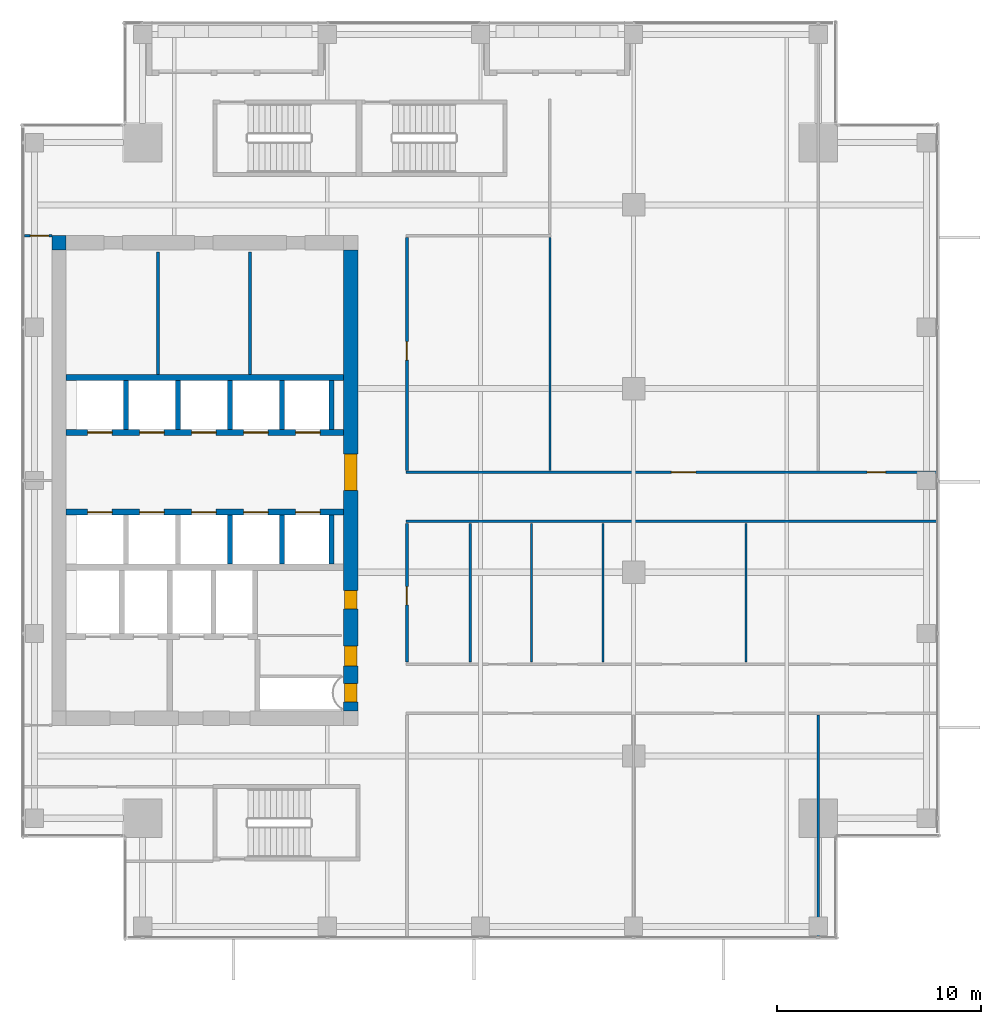
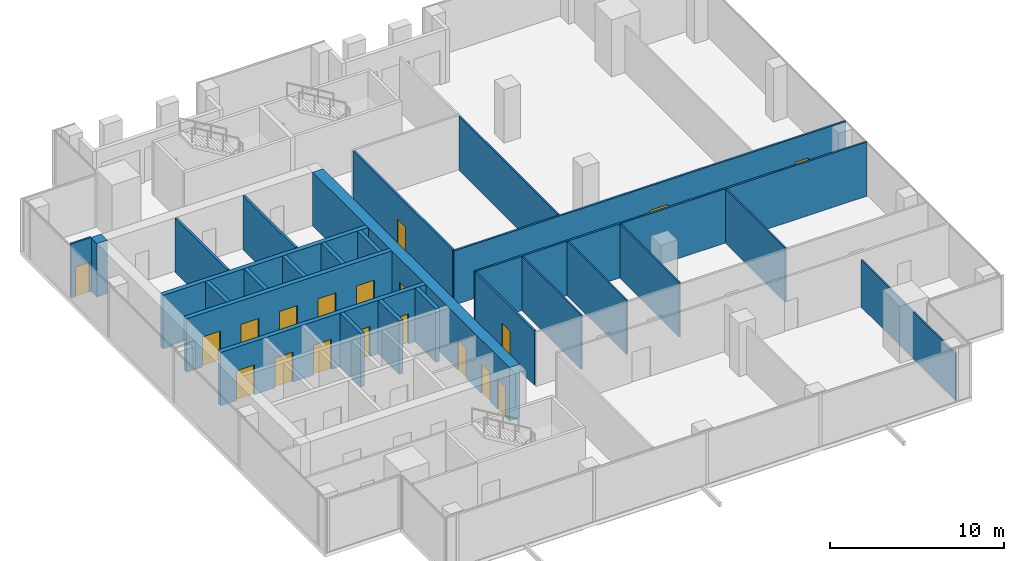
# One storey, part 31 of 34: 26 walls, 19 doors, 19 openings.
"""IFC4 building model written with IfcOpenShell, lengths in metres."""

from ifc_helpers import new_model, si_unit, direction, frame, frame_2d, origin, place, context, subcontext, project, spatial, rectangle, extrude, source, transform, mapped, material, layer, layer_set, type_object, element, fill, save


model = new_model("IFC4")

# Units and contexts
model_context = context("Model", 3, precision=1e-05, world=origin(), true_north=direction((0.0, 1.0)))
body_context = subcontext(model_context, "Body", "Model", "MODEL_VIEW")
ifc_project = project(units=[si_unit("LENGTHUNIT", "METRE"), si_unit("AREAUNIT", "SQUARE_METRE"), si_unit("VOLUMEUNIT", "CUBIC_METRE"), si_unit("PLANEANGLEUNIT", "RADIAN"), si_unit("MASSUNIT", "GRAM", prefix="KILO")], contexts=[model_context])

# Site, building, storey
site_placement = place(None, origin())
site = spatial("IfcSite", under=ifc_project, at=site_placement, CompositionType="ELEMENT")
building_placement = place(site_placement, origin())
building = spatial("IfcBuilding", under=site, at=building_placement, Name="Khomas Fold Tower", CompositionType="ELEMENT")
storey_placement = place(building_placement, frame((0.0, 0.0, 242.199951171875)))
storey = spatial("IfcBuildingStorey", under=building, at=storey_placement, Name="L54", CompositionType="ELEMENT", Elevation=242.199951171875)

# Walls
ifc_material_1 = material(Name="Concrete C50/60", Category="concrete")
ifc_layer_1 = layer(ifc_material_1, 0.25)
ifc_layer_set_1 = layer_set([ifc_layer_1], Name="Concrete C50/60")
wall_type_1 = type_object("IfcWallType", Name="Shaft wall 250", PredefinedType="STANDARD", material=ifc_layer_set_1)
shared_shape_1 = source(origin(), body_context, "Body", "SweptSolid", [
    extrude(rectangle(XDim=2.39990234375, YDim=0.25, at=frame_2d((1.199951171875, 0.0))), origin(), (0.0, 0.0, 1.0), 3.75),
])
for number, where, z_axis, x_axis, name in (
    (1, (17.27490234375, 29.5, 0.0), (0.0, 0.0, 1.0), (0.0, 1.0, 0.0), "Core wall SW-HRN-MR-P1"),
    (2, (19.699951171875, 29.5, 0.0), (0.0, 0.0, 1.0), (0.0, 1.0, 0.0), "Core wall SW-HRN-MR-PE"),
    (3, (9.625, 29.5, 0.0), (0.0, 0.0, 1.0), (0.0, 1.0, 0.0), "Core wall SW-HRN-P1"),
    (4, (12.175048828125, 29.5, 0.0), (0.0, 0.0, 1.0), (0.0, 1.0, 0.0), "Core wall SW-HRN-P2"),
    (5, (14.72509765625, 29.5, 0.0), (0.0, 0.0, 1.0), (0.0, 1.0, 0.0), "Core wall SW-HRN-PE"),
):
    element("IfcWall", number, at=place(storey_placement, frame(where, z_axis=z_axis, x_axis=x_axis)), inside=storey, type_object=wall_type_1, Name=name, PredefinedType="STANDARD", context=body_context, shape_type="MappedRepresentation", body=[
        mapped(shared_shape_1, transform((0.0, 0.0, 0.0))),
    ])
shared_shape_2 = source(origin(), body_context, "Body", "SweptSolid", [
    extrude(rectangle(XDim=2.400146484375, YDim=0.25, at=frame_2d((1.2001953125, 0.0))), origin(), (0.0, 0.0, 1.0), 3.75),
])
for number, where, z_axis, x_axis, name in (
    (6, (17.27490234375, 22.89990234375, 0.0), (0.0, 0.0, 1.0), (0.0, 1.0, 0.0), "Core wall SW-HRS-MR-P1"),
    (7, (19.699951171875, 22.89990234375, 0.0), (0.0, 0.0, 1.0), (0.0, 1.0, 0.0), "Core wall SW-HRS-MR-PE"),
    (8, (14.72509765625, 22.89990234375, 0.0), (0.0, 0.0, 1.0), (0.0, 1.0, 0.0), "Core wall SW-HRS-PE"),
):
    element("IfcWall", number, at=place(storey_placement, frame(where, z_axis=z_axis, x_axis=x_axis)), inside=storey, type_object=wall_type_1, Name=name, PredefinedType="STANDARD", context=body_context, shape_type="MappedRepresentation", body=[
        mapped(shared_shape_2, transform((0.0, 0.0, 0.0))),
    ])
ifc_material_2 = material(Name="Concrete C60/75", Category="concrete")
ifc_layer_2 = layer(ifc_material_2, 0.699951171875)
ifc_layer_set_2 = layer_set([ifc_layer_2], Name="Concrete C60/75")
wall_type_2 = type_object("IfcWallType", Name="Core corner wall 700", PredefinedType="SHEAR", material=ifc_layer_set_2)
shared_shape_3 = source(origin(), body_context, "Body", "SweptSolid", [
    extrude(rectangle(XDim=0.699951171875, YDim=0.699951171875, at=frame_2d((0.35009765625, 0.0))), origin(), (0.0, 0.0, 1.0), 3.75),
])
wall_1_placement = place(storey_placement, frame((6.0, 38.64990234375, 0.0), z_axis=(0.0, 0.0, 1.0), x_axis=(1.0, 0.0, 0.0)))
element("IfcWall", 9, at=wall_1_placement, inside=storey, type_object=wall_type_2, Name="Core wall CW-U-NW-L49", PredefinedType="SHEAR", context=body_context, shape_type="MappedRepresentation", body=[
    mapped(shared_shape_3, transform((0.0, 0.0, 0.0))),
])

# Wall, openings, doors
ifc_material_3 = material(Name="Concrete C60/75", Category="concrete")
ifc_layer_3 = layer(ifc_material_3, 0.699951171875)
ifc_layer_set_3 = layer_set([ifc_layer_3], Name="Concrete C60/75")
wall_type_3 = type_object("IfcWallType", Name="Core wall 700", PredefinedType="SHEAR", material=ifc_layer_set_3)
shared_shape_4 = source(origin(), body_context, "Body", "SweptSolid", [
    extrude(rectangle(XDim=22.60009765625, YDim=0.699951171875, at=frame_2d((11.300048828125, 0.0))), origin(), (0.0, 0.0, 1.0), 3.75),
])
wall_2_placement = place(storey_placement, frame((20.64990234375, 15.699951171875, 0.0), z_axis=(0.0, 0.0, 1.0), x_axis=(0.0, 1.0, 0.0)))
wall_2 = element("IfcWall", 10, at=wall_2_placement, inside=storey, type_object=wall_type_3, Name="Core wall CW-U-E-L49", PredefinedType="SHEAR", context=body_context, shape_type="MappedRepresentation", body=[
    mapped(shared_shape_4, transform((0.0, 0.0, 0.0))),
])
shared_shape_5 = source(origin(), body_context, "Body", "SweptSolid", [
    extrude(rectangle(XDim=1.800048828125, YDim=2.10009765625, at=frame_2d((0.89990234375, 1.050048828125))), frame((0.0, 0.35986328125, 0.0), z_axis=(0.0, -1.0, 0.0), x_axis=(1.0, 0.0, 0.0)), (0.0, 0.0, 1.0), 0.719970703125),
])
opening_1_placement = place(wall_2_placement, frame((10.800048828125, 0.0, 0.0)))
opening_1 = element("IfcOpeningElement", 11, at=opening_1_placement, cuts=wall_2, Name="Opening 0015", PredefinedType="OPENING", context=body_context, shape_type="MappedRepresentation", body=[
    mapped(shared_shape_5, transform((0.0, 0.0, 0.0))),
])
shared_shape_6 = source(origin(), body_context, "Body", "SweptSolid", [
    extrude(rectangle(XDim=0.89990234375, YDim=2.10009765625, at=frame_2d((0.449951171875, 1.050048828125))), frame((0.0, 0.35986328125, 0.0), z_axis=(0.0, -1.0, 0.0), x_axis=(1.0, 0.0, 0.0)), (0.0, 0.0, 1.0), 0.719970703125),
])
opening_2_placement = place(wall_2_placement, frame((0.449951171875, 0.0, 0.0)))
opening_2 = element("IfcOpeningElement", 12, at=opening_2_placement, cuts=wall_2, Name="Opening 0003", PredefinedType="OPENING", context=body_context, shape_type="MappedRepresentation", body=[
    mapped(shared_shape_6, transform((0.0, 0.0, 0.0))),
])
shared_shape_7 = source(origin(), body_context, "Body", "SweptSolid", [
    extrude(rectangle(XDim=1.0, YDim=2.10009765625, at=frame_2d((0.5, 1.050048828125))), frame((0.0, 0.35986328125, 0.0), z_axis=(0.0, -1.0, 0.0), x_axis=(1.0, 0.0, 0.0)), (0.0, 0.0, 1.0), 0.719970703125),
])
opening_3_placement = place(wall_2_placement, frame((2.199951171875, 0.0, 0.0)))
opening_3 = element("IfcOpeningElement", 13, at=opening_3_placement, cuts=wall_2, Name="Opening 0006", PredefinedType="OPENING", context=body_context, shape_type="MappedRepresentation", body=[
    mapped(shared_shape_7, transform((0.0, 0.0, 0.0))),
])
opening_4_placement = place(wall_2_placement, frame((5.0, 0.0, 0.0)))
opening_4 = element("IfcOpeningElement", 14, at=opening_4_placement, cuts=wall_2, Name="Opening 0008", PredefinedType="OPENING", context=body_context, shape_type="MappedRepresentation", body=[
    mapped(shared_shape_6, transform((0.0, 0.0, 0.0))),
])
ifc_material_4 = material(Name="Steel door leaf", Category="steel")
door_type_1 = type_object("IfcDoorType", Name="Lobby door 1800x2100", OperationType="DOUBLE_DOOR_SINGLE_SWING", PredefinedType="DOOR", material=ifc_material_4)
shared_shape_8 = source(origin(), body_context, "Body", "SweptSolid", [
    extrude(rectangle(XDim=1.800048828125, YDim=2.10009765625, at=frame_2d((0.89990234375, 1.050048828125))), frame((0.0, 0.2998046875, 0.0), z_axis=(0.0, -1.0, 0.0), x_axis=(1.0, 0.0, 0.0)), (0.0, 0.0, 1.0), 0.599853515625),
])
door_1_placement = place(opening_1_placement, origin())
door_1 = element("IfcDoor", 15, at=door_1_placement, inside=storey, type_object=door_type_1, Name="Lobby door", OperationType="DOUBLE_DOOR_SINGLE_SWING", OverallHeight=2.10009765625, OverallWidth=1.800048828125, PredefinedType="DOOR", context=body_context, shape_type="MappedRepresentation", body=[
    mapped(shared_shape_8, transform((0.0, 0.0, 0.0))),
])
fill(opening_1, door_1)
ifc_material_5 = material(Name="Steel door leaf", Category="steel")
door_type_2 = type_object("IfcDoorType", Name="Plant room door 900x2100 right-hand", OperationType="SINGLE_SWING_RIGHT", PredefinedType="DOOR", material=ifc_material_5)
shared_shape_9 = source(origin(), body_context, "Body", "SweptSolid", [
    extrude(rectangle(XDim=0.89990234375, YDim=2.10009765625, at=frame_2d((0.449951171875, 1.050048828125))), frame((0.0, 0.2998046875, 0.0), z_axis=(0.0, -1.0, 0.0), x_axis=(1.0, 0.0, 0.0)), (0.0, 0.0, 1.0), 0.599853515625),
])
door_2_placement = place(opening_2_placement, origin())
door_2 = element("IfcDoor", 16, at=door_2_placement, inside=storey, type_object=door_type_2, Name="Plant room door", OperationType="SINGLE_SWING_RIGHT", OverallHeight=2.10009765625, OverallWidth=0.89990234375, PredefinedType="DOOR", context=body_context, shape_type="MappedRepresentation", body=[
    mapped(shared_shape_9, transform((0.0, 0.0, 0.0))),
])
fill(opening_2, door_2)
ifc_material_6 = material(Name="Timber door leaf", Category="wood")
door_type_3 = type_object("IfcDoorType", Name="Door 900x2100 right-hand", OperationType="SINGLE_SWING_RIGHT", PredefinedType="DOOR", material=ifc_material_6)
door_3_placement = place(opening_4_placement, origin())
door_3 = element("IfcDoor", 17, at=door_3_placement, inside=storey, type_object=door_type_3, Name="Door", OperationType="SINGLE_SWING_RIGHT", OverallHeight=2.10009765625, OverallWidth=0.89990234375, PredefinedType="DOOR", context=body_context, shape_type="MappedRepresentation", body=[
    mapped(shared_shape_9, transform((0.0, 0.0, 0.0))),
])
fill(opening_4, door_3)
ifc_material_7 = material(Name="Timber door leaf", Category="wood")
door_type_4 = type_object("IfcDoorType", Name="WC door 1000x2100 right-hand", OperationType="SINGLE_SWING_RIGHT", PredefinedType="DOOR", material=ifc_material_7)
shared_shape_10 = source(origin(), body_context, "Body", "SweptSolid", [
    extrude(rectangle(XDim=1.0, YDim=2.10009765625, at=frame_2d((0.5, 1.050048828125))), frame((0.0, 0.2998046875, 0.0), z_axis=(0.0, -1.0, 0.0), x_axis=(1.0, 0.0, 0.0)), (0.0, 0.0, 1.0), 0.599853515625),
])
door_4_placement = place(opening_3_placement, origin())
door_4 = element("IfcDoor", 18, at=door_4_placement, inside=storey, type_object=door_type_4, Name="WC door", OperationType="SINGLE_SWING_RIGHT", OverallHeight=2.10009765625, OverallWidth=1.0, PredefinedType="DOOR", context=body_context, shape_type="MappedRepresentation", body=[
    mapped(shared_shape_10, transform((0.0, 0.0, 0.0))),
])
fill(opening_3, door_4)

# Wall
ifc_material_8 = material(Name="Concrete C50/60", Category="concrete")
ifc_layer_4 = layer(ifc_material_8, 0.300048828125)
ifc_layer_set_4 = layer_set([ifc_layer_4], Name="Concrete C50/60")
wall_type_4 = type_object("IfcWallType", Name="Shaft wall 300", PredefinedType="STANDARD", material=ifc_layer_set_4)
shared_shape_11 = source(origin(), body_context, "Body", "SweptSolid", [
    extrude(rectangle(XDim=13.60009765625, YDim=0.300048828125, at=frame_2d((6.800048828125, 0.0))), origin(), (0.0, 0.0, 1.0), 3.75),
])
wall_3_placement = place(storey_placement, frame((6.699951171875, 32.050048828125, 0.0), z_axis=(0.0, 0.0, 1.0), x_axis=(1.0, 0.0, 0.0)))
element("IfcWall", 19, at=wall_3_placement, inside=storey, type_object=wall_type_4, Name="Core wall SW-HRN-B", PredefinedType="STANDARD", context=body_context, shape_type="MappedRepresentation", body=[
    mapped(shared_shape_11, transform((0.0, 0.0, 0.0))),
])

# Wall, openings, doors
wall_4_placement = place(storey_placement, frame((6.699951171875, 29.35009765625, 0.0), z_axis=(0.0, 0.0, 1.0), x_axis=(1.0, 0.0, 0.0)))
wall_4 = element("IfcWall", 20, at=wall_4_placement, inside=storey, type_object=wall_type_4, Name="Core wall SW-HRN-F", PredefinedType="STANDARD", context=body_context, shape_type="MappedRepresentation", body=[
    mapped(shared_shape_11, transform((0.0, 0.0, 0.0))),
])
shared_shape_12 = source(origin(), body_context, "Body", "SweptSolid", [
    extrude(rectangle(XDim=1.199951171875, YDim=2.10009765625, at=frame_2d((0.60009765625, 1.050048828125))), frame((0.0, 0.159912109375, 0.0), z_axis=(0.0, -1.0, 0.0), x_axis=(1.0, 0.0, 0.0)), (0.0, 0.0, 1.0), 0.320068359375),
])
opening_5_placement = place(wall_4_placement, frame((1.050048828125, 0.0, 0.0)))
opening_5 = element("IfcOpeningElement", 21, at=opening_5_placement, cuts=wall_4, Name="Opening LD-HR4", PredefinedType="OPENING", context=body_context, shape_type="MappedRepresentation", body=[
    mapped(shared_shape_12, transform((0.0, 0.0, 0.0))),
])
opening_6_placement = place(wall_4_placement, frame((3.60009765625, 0.0, 0.0)))
opening_6 = element("IfcOpeningElement", 22, at=opening_6_placement, cuts=wall_4, Name="Opening LD-HR5", PredefinedType="OPENING", context=body_context, shape_type="MappedRepresentation", body=[
    mapped(shared_shape_12, transform((0.0, 0.0, 0.0))),
])
opening_7_placement = place(wall_4_placement, frame((6.14990234375, 0.0, 0.0)))
opening_7 = element("IfcOpeningElement", 23, at=opening_7_placement, cuts=wall_4, Name="Opening LD-HR6", PredefinedType="OPENING", context=body_context, shape_type="MappedRepresentation", body=[
    mapped(shared_shape_12, transform((0.0, 0.0, 0.0))),
])
opening_8_placement = place(wall_4_placement, frame((8.699951171875, 0.0, 0.0)))
opening_8 = element("IfcOpeningElement", 24, at=opening_8_placement, cuts=wall_4, Name="Opening LD-MR3", PredefinedType="OPENING", context=body_context, shape_type="MappedRepresentation", body=[
    mapped(shared_shape_12, transform((0.0, 0.0, 0.0))),
])
opening_9_placement = place(wall_4_placement, frame((11.25, 0.0, 0.0)))
opening_9 = element("IfcOpeningElement", 25, at=opening_9_placement, cuts=wall_4, Name="Opening LD-MR4", PredefinedType="OPENING", context=body_context, shape_type="MappedRepresentation", body=[
    mapped(shared_shape_12, transform((0.0, 0.0, 0.0))),
])
ifc_material_9 = material(Name="Steel door leaf", Category="steel")
door_type_5 = type_object("IfcDoorType", Name="Landing door 1200x2100", OperationType="DOUBLE_DOOR_SLIDING", PredefinedType="DOOR", material=ifc_material_9)
shared_shape_13 = source(origin(), body_context, "Body", "SweptSolid", [
    extrude(rectangle(XDim=1.199951171875, YDim=2.10009765625, at=frame_2d((0.60009765625, 1.050048828125))), frame((0.0, 0.02490234375, 0.0), z_axis=(0.0, -1.0, 0.0), x_axis=(1.0, 0.0, 0.0)), (0.0, 0.0, 1.0), 0.050048828125),
])
door_5_placement = place(opening_5_placement, origin())
door_5 = element("IfcDoor", 26, at=door_5_placement, inside=storey, type_object=door_type_5, Name="Lift landing door", OperationType="DOUBLE_DOOR_SLIDING", OverallHeight=2.10009765625, OverallWidth=1.199951171875, PredefinedType="DOOR", context=body_context, shape_type="MappedRepresentation", body=[
    mapped(shared_shape_13, transform((0.0, 0.0, 0.0))),
])
fill(opening_5, door_5)
door_6_placement = place(opening_6_placement, origin())
door_6 = element("IfcDoor", 27, at=door_6_placement, inside=storey, type_object=door_type_5, Name="Lift landing door", OperationType="DOUBLE_DOOR_SLIDING", OverallHeight=2.10009765625, OverallWidth=1.199951171875, PredefinedType="DOOR", context=body_context, shape_type="MappedRepresentation", body=[
    mapped(shared_shape_13, transform((0.0, 0.0, 0.0))),
])
fill(opening_6, door_6)
door_7_placement = place(opening_7_placement, origin())
door_7 = element("IfcDoor", 28, at=door_7_placement, inside=storey, type_object=door_type_5, Name="Lift landing door", OperationType="DOUBLE_DOOR_SLIDING", OverallHeight=2.10009765625, OverallWidth=1.199951171875, PredefinedType="DOOR", context=body_context, shape_type="MappedRepresentation", body=[
    mapped(shared_shape_13, transform((0.0, 0.0, 0.0))),
])
fill(opening_7, door_7)
door_8_placement = place(opening_8_placement, origin())
door_8 = element("IfcDoor", 29, at=door_8_placement, inside=storey, type_object=door_type_5, Name="Lift landing door", OperationType="DOUBLE_DOOR_SLIDING", OverallHeight=2.10009765625, OverallWidth=1.199951171875, PredefinedType="DOOR", context=body_context, shape_type="MappedRepresentation", body=[
    mapped(shared_shape_13, transform((0.0, 0.0, 0.0))),
])
fill(opening_8, door_8)
door_9_placement = place(opening_9_placement, origin())
door_9 = element("IfcDoor", 30, at=door_9_placement, inside=storey, type_object=door_type_5, Name="Lift landing door", OperationType="DOUBLE_DOOR_SLIDING", OverallHeight=2.10009765625, OverallWidth=1.199951171875, PredefinedType="DOOR", context=body_context, shape_type="MappedRepresentation", body=[
    mapped(shared_shape_13, transform((0.0, 0.0, 0.0))),
])
fill(opening_9, door_9)

wall_5_placement = place(storey_placement, frame((6.699951171875, 25.449951171875, 0.0), z_axis=(0.0, 0.0, 1.0), x_axis=(1.0, 0.0, 0.0)))
wall_5 = element("IfcWall", 31, at=wall_5_placement, inside=storey, type_object=wall_type_4, Name="Core wall SW-HRS-F", PredefinedType="STANDARD", context=body_context, shape_type="MappedRepresentation", body=[
    mapped(shared_shape_11, transform((0.0, 0.0, 0.0))),
])
opening_10_placement = place(wall_5_placement, frame((1.050048828125, 0.0, 0.0)))
opening_10 = element("IfcOpeningElement", 32, at=opening_10_placement, cuts=wall_5, Name="Opening LD-HR1", PredefinedType="OPENING", context=body_context, shape_type="MappedRepresentation", body=[
    mapped(shared_shape_12, transform((0.0, 0.0, 0.0))),
])
opening_11_placement = place(wall_5_placement, frame((3.60009765625, 0.0, 0.0)))
opening_11 = element("IfcOpeningElement", 33, at=opening_11_placement, cuts=wall_5, Name="Opening LD-HR2", PredefinedType="OPENING", context=body_context, shape_type="MappedRepresentation", body=[
    mapped(shared_shape_12, transform((0.0, 0.0, 0.0))),
])
opening_12_placement = place(wall_5_placement, frame((6.14990234375, 0.0, 0.0)))
opening_12 = element("IfcOpeningElement", 34, at=opening_12_placement, cuts=wall_5, Name="Opening LD-HR3", PredefinedType="OPENING", context=body_context, shape_type="MappedRepresentation", body=[
    mapped(shared_shape_12, transform((0.0, 0.0, 0.0))),
])
opening_13_placement = place(wall_5_placement, frame((8.699951171875, 0.0, 0.0)))
opening_13 = element("IfcOpeningElement", 35, at=opening_13_placement, cuts=wall_5, Name="Opening LD-MR1", PredefinedType="OPENING", context=body_context, shape_type="MappedRepresentation", body=[
    mapped(shared_shape_12, transform((0.0, 0.0, 0.0))),
])
opening_14_placement = place(wall_5_placement, frame((11.25, 0.0, 0.0)))
opening_14 = element("IfcOpeningElement", 36, at=opening_14_placement, cuts=wall_5, Name="Opening LD-MR2", PredefinedType="OPENING", context=body_context, shape_type="MappedRepresentation", body=[
    mapped(shared_shape_12, transform((0.0, 0.0, 0.0))),
])
door_10_placement = place(opening_10_placement, origin())
door_10 = element("IfcDoor", 37, at=door_10_placement, inside=storey, type_object=door_type_5, Name="Lift landing door", OperationType="DOUBLE_DOOR_SLIDING", OverallHeight=2.10009765625, OverallWidth=1.199951171875, PredefinedType="DOOR", context=body_context, shape_type="MappedRepresentation", body=[
    mapped(shared_shape_13, transform((0.0, 0.0, 0.0))),
])
fill(opening_10, door_10)
door_11_placement = place(opening_11_placement, origin())
door_11 = element("IfcDoor", 38, at=door_11_placement, inside=storey, type_object=door_type_5, Name="Lift landing door", OperationType="DOUBLE_DOOR_SLIDING", OverallHeight=2.10009765625, OverallWidth=1.199951171875, PredefinedType="DOOR", context=body_context, shape_type="MappedRepresentation", body=[
    mapped(shared_shape_13, transform((0.0, 0.0, 0.0))),
])
fill(opening_11, door_11)
door_12_placement = place(opening_12_placement, origin())
door_12 = element("IfcDoor", 39, at=door_12_placement, inside=storey, type_object=door_type_5, Name="Lift landing door", OperationType="DOUBLE_DOOR_SLIDING", OverallHeight=2.10009765625, OverallWidth=1.199951171875, PredefinedType="DOOR", context=body_context, shape_type="MappedRepresentation", body=[
    mapped(shared_shape_13, transform((0.0, 0.0, 0.0))),
])
fill(opening_12, door_12)
door_13_placement = place(opening_13_placement, origin())
door_13 = element("IfcDoor", 40, at=door_13_placement, inside=storey, type_object=door_type_5, Name="Lift landing door", OperationType="DOUBLE_DOOR_SLIDING", OverallHeight=2.10009765625, OverallWidth=1.199951171875, PredefinedType="DOOR", context=body_context, shape_type="MappedRepresentation", body=[
    mapped(shared_shape_13, transform((0.0, 0.0, 0.0))),
])
fill(opening_13, door_13)
door_14_placement = place(opening_14_placement, origin())
door_14 = element("IfcDoor", 41, at=door_14_placement, inside=storey, type_object=door_type_5, Name="Lift landing door", OperationType="DOUBLE_DOOR_SLIDING", OverallHeight=2.10009765625, OverallWidth=1.199951171875, PredefinedType="DOOR", context=body_context, shape_type="MappedRepresentation", body=[
    mapped(shared_shape_13, transform((0.0, 0.0, 0.0))),
])
fill(opening_14, door_14)

# Walls
ifc_material_10 = material(Name="Plasterboard fire partition")
ifc_layer_5 = layer(ifc_material_10, 0.14990234375)
ifc_layer_set_5 = layer_set([ifc_layer_5], Name="Plasterboard fire partition")
wall_type_5 = type_object("IfcWallType", Name="Plant room wall PW3 150", PredefinedType="PARTITIONING", material=ifc_layer_set_5)
shared_shape_14 = source(origin(), body_context, "Body", "SweptSolid", [
    extrude(rectangle(XDim=6.0, YDim=0.14990234375, at=frame_2d((3.0, 0.0))), origin(), (0.0, 0.0, 1.0), 3.800048828125),
])
for number, where, z_axis, x_axis, name in (
    (42, (11.199951171875, 32.199951171875, 0.0), (0.0, 0.0, 1.0), (0.0, 1.0, 0.0), "Plant room wall"),
    (43, (15.699951171875, 32.199951171875, 0.0), (0.0, 0.0, 1.0), (0.0, 1.0, 0.0), "Plant room wall"),
):
    element("IfcWall", number, at=place(storey_placement, frame(where, z_axis=z_axis, x_axis=x_axis)), inside=storey, type_object=wall_type_5, Name=name, PredefinedType="PARTITIONING", context=body_context, shape_type="MappedRepresentation", body=[
        mapped(shared_shape_14, transform((0.0, 0.0, 0.0))),
    ])
ifc_material_11 = material(Name="Plasterboard partition")
ifc_layer_6 = layer(ifc_material_11, 0.10009765625)
ifc_layer_set_6 = layer_set([ifc_layer_6], Name="Plasterboard partition")
wall_type_6 = type_object("IfcWallType", Name="Partition PW1 100", PredefinedType="PARTITIONING", material=ifc_layer_set_6)
shared_shape_15 = source(origin(), body_context, "Body", "SweptSolid", [
    extrude(rectangle(XDim=10.85009765625, YDim=0.10009765625, at=frame_2d((5.425048828125, 0.0))), origin(), (0.0, 0.0, 1.0), 3.300048828125),
])
wall_6_placement = place(storey_placement, frame((43.550048828125, 4.64990234375, 0.0), z_axis=(0.0, 0.0, 1.0), x_axis=(0.0, 1.0, 0.0)))
element("IfcWall", 44, at=wall_6_placement, inside=storey, type_object=wall_type_6, Name="Partition", PredefinedType="PARTITIONING", context=body_context, shape_type="MappedRepresentation", body=[
    mapped(shared_shape_15, transform((0.0, 0.0, 0.0))),
])

# Wall, opening, door
ifc_material_12 = material(Name="Plasterboard partition")
ifc_layer_7 = layer(ifc_material_12, 0.125)
ifc_layer_set_7 = layer_set([ifc_layer_7], Name="Plasterboard partition")
wall_type_7 = type_object("IfcWallType", Name="Partition PW2 125", PredefinedType="PARTITIONING", material=ifc_layer_set_7)
shared_shape_16 = source(origin(), body_context, "Body", "SweptSolid", [
    extrude(rectangle(XDim=1.35009765625, YDim=0.125, at=frame_2d((0.675048828125, 0.0))), origin(), (0.0, 0.0, 1.0), 3.800048828125),
])
wall_7_placement = place(storey_placement, frame((4.64990234375, 39.0, 0.0), z_axis=(0.0, 0.0, 1.0), x_axis=(1.0, 0.0, 0.0)))
wall_7 = element("IfcWall", 45, at=wall_7_placement, inside=storey, type_object=wall_type_7, Name="Partition", PredefinedType="PARTITIONING", context=body_context, shape_type="MappedRepresentation", body=[
    mapped(shared_shape_16, transform((0.0, 0.0, 0.0))),
])
shared_shape_17 = source(origin(), body_context, "Body", "SweptSolid", [
    extrude(rectangle(XDim=0.89990234375, YDim=2.10009765625, at=frame_2d((0.449951171875, 1.050048828125))), frame((0.0, 0.072509765625, 0.0), z_axis=(0.0, -1.0, 0.0), x_axis=(1.0, 0.0, 0.0)), (0.0, 0.0, 1.0), 0.14501953125),
])
opening_15_placement = place(wall_7_placement, frame((0.300048828125, 0.0, 0.0)))
opening_15 = element("IfcOpeningElement", 46, at=opening_15_placement, cuts=wall_7, Name="Opening 0008", PredefinedType="OPENING", context=body_context, shape_type="MappedRepresentation", body=[
    mapped(shared_shape_17, transform((0.0, 0.0, 0.0))),
])
shared_shape_18 = source(origin(), body_context, "Body", "SweptSolid", [
    extrude(rectangle(XDim=0.89990234375, YDim=2.10009765625, at=frame_2d((0.449951171875, 1.050048828125))), frame((0.0, 0.02490234375, 0.0), z_axis=(0.0, -1.0, 0.0), x_axis=(1.0, 0.0, 0.0)), (0.0, 0.0, 1.0), 0.050048828125),
])
door_15_placement = place(opening_15_placement, origin())
door_15 = element("IfcDoor", 47, at=door_15_placement, inside=storey, type_object=door_type_3, Name="Door", OperationType="SINGLE_SWING_RIGHT", OverallHeight=2.10009765625, OverallWidth=0.89990234375, PredefinedType="DOOR", context=body_context, shape_type="MappedRepresentation", body=[
    mapped(shared_shape_18, transform((0.0, 0.0, 0.0))),
])
fill(opening_15, door_15)

# Wall
shared_shape_19 = source(origin(), body_context, "Body", "SweptSolid", [
    extrude(rectangle(XDim=26.0, YDim=0.125, at=frame_2d((13.0, 0.0))), origin(), (0.0, 0.0, 1.0), 3.800048828125),
])
wall_8_placement = place(storey_placement, frame((23.35009765625, 25.0, 0.0), z_axis=(0.0, 0.0, 1.0), x_axis=(1.0, 0.0, 0.0)))
element("IfcWall", 48, at=wall_8_placement, inside=storey, type_object=wall_type_7, Name="Partition", PredefinedType="PARTITIONING", context=body_context, shape_type="MappedRepresentation", body=[
    mapped(shared_shape_19, transform((0.0, 0.0, 0.0))),
])

# Wall, openings, doors
wall_9_placement = place(storey_placement, frame((23.35009765625, 27.39990234375, 0.0), z_axis=(0.0, 0.0, 1.0), x_axis=(1.0, 0.0, 0.0)))
wall_9 = element("IfcWall", 49, at=wall_9_placement, inside=storey, type_object=wall_type_7, Name="Partition", PredefinedType="PARTITIONING", context=body_context, shape_type="MappedRepresentation", body=[
    mapped(shared_shape_19, transform((0.0, 0.0, 0.0))),
])
shared_shape_20 = source(origin(), body_context, "Body", "SweptSolid", [
    extrude(rectangle(XDim=1.199951171875, YDim=2.10009765625, at=frame_2d((0.60009765625, 1.050048828125))), frame((0.0, 0.072509765625, 0.0), z_axis=(0.0, -1.0, 0.0), x_axis=(1.0, 0.0, 0.0)), (0.0, 0.0, 1.0), 0.14501953125),
])
opening_16_placement = place(wall_9_placement, frame((13.0, 0.0, 0.0)))
opening_16 = element("IfcOpeningElement", 50, at=opening_16_placement, cuts=wall_9, Name="Opening 0001", PredefinedType="OPENING", context=body_context, shape_type="MappedRepresentation", body=[
    mapped(shared_shape_20, transform((0.0, 0.0, 0.0))),
])
opening_17_placement = place(wall_9_placement, frame((22.60009765625, 0.0, 0.0)))
opening_17 = element("IfcOpeningElement", 51, at=opening_17_placement, cuts=wall_9, Name="Opening 0008", PredefinedType="OPENING", context=body_context, shape_type="MappedRepresentation", body=[
    mapped(shared_shape_17, transform((0.0, 0.0, 0.0))),
])
door_16_placement = place(opening_17_placement, origin())
door_16 = element("IfcDoor", 52, at=door_16_placement, inside=storey, type_object=door_type_3, Name="Door", OperationType="SINGLE_SWING_RIGHT", OverallHeight=2.10009765625, OverallWidth=0.89990234375, PredefinedType="DOOR", context=body_context, shape_type="MappedRepresentation", body=[
    mapped(shared_shape_18, transform((0.0, 0.0, 0.0))),
])
fill(opening_17, door_16)
ifc_material_13 = material(Name="Timber door leaf", Category="wood")
door_type_6 = type_object("IfcDoorType", Name="Door 1200x2100 right-hand", OperationType="SINGLE_SWING_RIGHT", PredefinedType="DOOR", material=ifc_material_13)
door_17_placement = place(opening_16_placement, origin())
door_17 = element("IfcDoor", 53, at=door_17_placement, inside=storey, type_object=door_type_6, Name="Door", OperationType="SINGLE_SWING_RIGHT", OverallHeight=2.10009765625, OverallWidth=1.199951171875, PredefinedType="DOOR", context=body_context, shape_type="MappedRepresentation", body=[
    mapped(shared_shape_13, transform((0.0, 0.0, 0.0))),
])
fill(opening_16, door_17)

# Wall, opening, door
shared_shape_21 = source(origin(), body_context, "Body", "SweptSolid", [
    extrude(rectangle(XDim=6.7998046875, YDim=0.125, at=frame_2d((3.39990234375, 0.0))), origin(), (0.0, 0.0, 1.0), 3.800048828125),
])
wall_10_placement = place(storey_placement, frame((23.39990234375, 18.10009765625, 0.0), z_axis=(0.0, 0.0, 1.0), x_axis=(0.0, 1.0, 0.0)))
wall_10 = element("IfcWall", 54, at=wall_10_placement, inside=storey, type_object=wall_type_7, Name="Partition", PredefinedType="PARTITIONING", context=body_context, shape_type="MappedRepresentation", body=[
    mapped(shared_shape_21, transform((0.0, 0.0, 0.0))),
])
opening_18_placement = place(wall_10_placement, frame((2.800048828125, 0.0, 0.0)))
opening_18 = element("IfcOpeningElement", 55, at=opening_18_placement, cuts=wall_10, Name="Opening 0005", PredefinedType="OPENING", context=body_context, shape_type="MappedRepresentation", body=[
    mapped(shared_shape_17, transform((0.0, 0.0, 0.0))),
])
ifc_material_14 = material(Name="Timber door leaf", Category="wood")
door_type_7 = type_object("IfcDoorType", Name="WC door 900x2100 left-hand", OperationType="SINGLE_SWING_LEFT", PredefinedType="DOOR", material=ifc_material_14)
door_18_placement = place(opening_18_placement, origin())
door_18 = element("IfcDoor", 56, at=door_18_placement, inside=storey, type_object=door_type_7, Name="WC door", OperationType="SINGLE_SWING_LEFT", OverallHeight=2.10009765625, OverallWidth=0.89990234375, PredefinedType="DOOR", context=body_context, shape_type="MappedRepresentation", body=[
    mapped(shared_shape_18, transform((0.0, 0.0, 0.0))),
])
fill(opening_18, door_18)

# Walls
shared_shape_22 = source(origin(), body_context, "Body", "SweptSolid", [
    extrude(rectangle(XDim=6.7998046875, YDim=0.10009765625, at=frame_2d((3.39990234375, 0.0))), origin(), (0.0, 0.0, 1.0), 3.800048828125),
])
for number, where, z_axis, x_axis, name in (
    (57, (26.5, 18.10009765625, 0.0), (0.0, 0.0, 1.0), (0.0, 1.0, 0.0), "Partition"),
    (58, (29.5, 18.10009765625, 0.0), (0.0, 0.0, 1.0), (0.0, 1.0, 0.0), "Partition"),
    (59, (33.0, 18.10009765625, 0.0), (0.0, 0.0, 1.0), (0.0, 1.0, 0.0), "Partition"),
    (60, (40.0, 18.10009765625, 0.0), (0.0, 0.0, 1.0), (0.0, 1.0, 0.0), "Partition"),
):
    element("IfcWall", number, at=place(storey_placement, frame(where, z_axis=z_axis, x_axis=x_axis)), inside=storey, type_object=wall_type_6, Name=name, PredefinedType="PARTITIONING", context=body_context, shape_type="MappedRepresentation", body=[
        mapped(shared_shape_22, transform((0.0, 0.0, 0.0))),
    ])

# Wall, opening, door
shared_shape_23 = source(origin(), body_context, "Body", "SweptSolid", [
    extrude(rectangle(XDim=11.39990234375, YDim=0.125, at=frame_2d((5.699951171875, 0.0))), origin(), (0.0, 0.0, 1.0), 3.800048828125),
])
wall_11_placement = place(storey_placement, frame((23.39990234375, 27.5, 0.0), z_axis=(0.0, 0.0, 1.0), x_axis=(0.0, 1.0, 0.0)))
wall_11 = element("IfcWall", 61, at=wall_11_placement, inside=storey, type_object=wall_type_7, Name="Partition", PredefinedType="PARTITIONING", context=body_context, shape_type="MappedRepresentation", body=[
    mapped(shared_shape_23, transform((0.0, 0.0, 0.0))),
])
opening_19_placement = place(wall_11_placement, frame((5.39990234375, 0.0, 0.0)))
opening_19 = element("IfcOpeningElement", 62, at=opening_19_placement, cuts=wall_11, Name="Opening 0008", PredefinedType="OPENING", context=body_context, shape_type="MappedRepresentation", body=[
    mapped(shared_shape_17, transform((0.0, 0.0, 0.0))),
])
door_19_placement = place(opening_19_placement, origin())
door_19 = element("IfcDoor", 63, at=door_19_placement, inside=storey, type_object=door_type_3, Name="Door", OperationType="SINGLE_SWING_RIGHT", OverallHeight=2.10009765625, OverallWidth=0.89990234375, PredefinedType="DOOR", context=body_context, shape_type="MappedRepresentation", body=[
    mapped(shared_shape_18, transform((0.0, 0.0, 0.0))),
])
fill(opening_19, door_19)

# Wall
shared_shape_24 = source(origin(), body_context, "Body", "SweptSolid", [
    extrude(rectangle(XDim=11.39990234375, YDim=0.10009765625, at=frame_2d((5.699951171875, 0.0))), origin(), (0.0, 0.0, 1.0), 3.800048828125),
])
wall_12_placement = place(storey_placement, frame((30.39990234375, 27.5, 0.0), z_axis=(0.0, 0.0, 1.0), x_axis=(0.0, 1.0, 0.0)))
element("IfcWall", 64, at=wall_12_placement, inside=storey, type_object=wall_type_6, Name="Partition", PredefinedType="PARTITIONING", context=body_context, shape_type="MappedRepresentation", body=[
    mapped(shared_shape_24, transform((0.0, 0.0, 0.0))),
])

save(model, "model.ifc")
